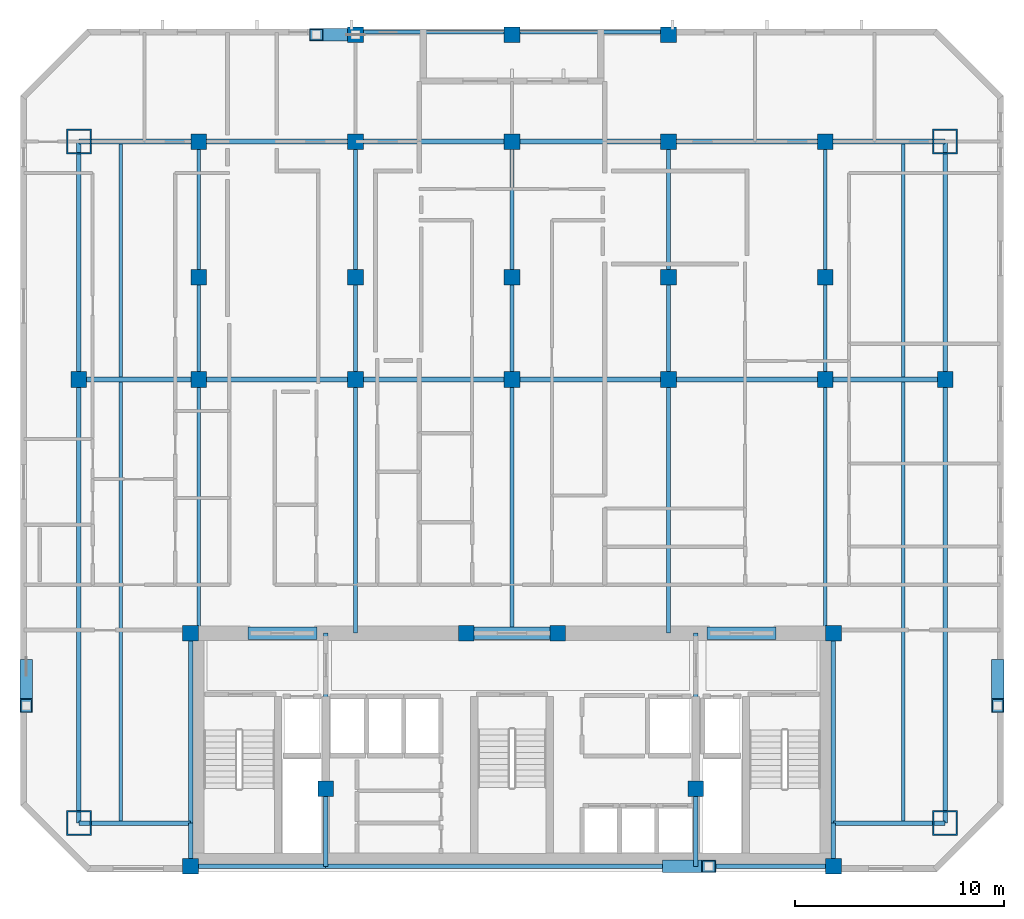
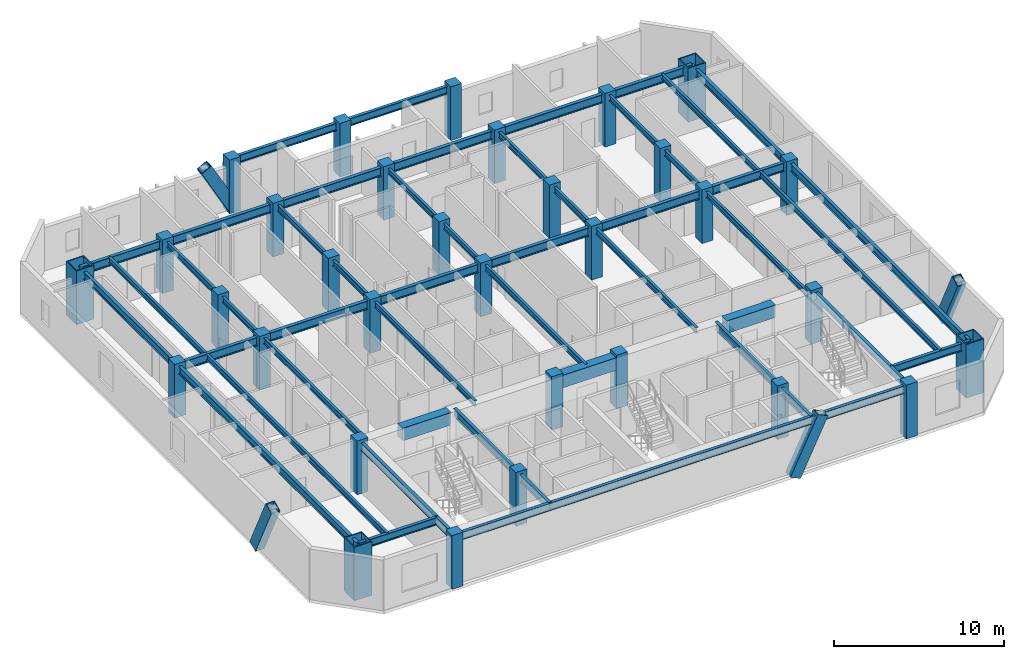
# One storey, part 1 of 9: 48 beams, 32 columns, 4 members.
"""IFC4 building model written with IfcOpenShell, lengths in metres."""

from ifc_helpers import new_model, si_unit, direction, frame, origin, origin_2d, place, context, subcontext, project, spatial, rectangle, hollow_rectangle, i_section, extrude, material, material_profile, profile_set, type_object, element, save


model = new_model("IFC4")

# Units and contexts
model_context = context("Model", 3, precision=1e-05, world=origin(), true_north=direction((0.0, 1.0)))
body_context = subcontext(model_context, "Body", "Model", "MODEL_VIEW")
ifc_project = project(units=[si_unit("LENGTHUNIT", "METRE"), si_unit("AREAUNIT", "SQUARE_METRE"), si_unit("VOLUMEUNIT", "CUBIC_METRE"), si_unit("PLANEANGLEUNIT", "RADIAN"), si_unit("MASSUNIT", "GRAM", prefix="KILO")], contexts=[model_context])

# Site, building, storey
site_placement = place(None, origin())
site = spatial("IfcSite", under=ifc_project, at=site_placement, CompositionType="ELEMENT")
building_placement = place(site_placement, origin())
building = spatial("IfcBuilding", under=site, at=building_placement, Name="Ventersveld Concourse Tower", CompositionType="ELEMENT")
storey_placement = place(building_placement, frame((0.0, 0.0, 172.14990234375)))
storey = spatial("IfcBuildingStorey", under=building, at=storey_placement, Name="L42", CompositionType="ELEMENT", Elevation=172.14990234375)

# Columns
ifc_material_1 = material(Name="Concrete C50/60", Category="concrete")
ifc_material_profile_1 = material_profile(ifc_material_1, rectangle(XDim=0.75, YDim=0.75, at=origin_2d()), Name="RC 750x750")
ifc_profile_set_1 = profile_set([ifc_material_profile_1], Name="Concrete C50/60")
column_type_1 = type_object("IfcColumnType", Name="COL-RC750", PredefinedType="COLUMN", material=ifc_profile_set_1)
for number, where, z_axis, x_axis, name in (
    (1, (13.35009765625, 0.280029296875, 0.0), (0.0, 0.0, 1.0), (1.0, 0.0, 0.0), "L42 Core Spine Column CC-SW"),
    (2, (44.14990234375, 0.280029296875, 0.0), (0.0, 0.0, 1.0), (1.0, 0.0, 0.0), "L42 Core Spine Column CC-SE"),
    (3, (13.35009765625, 11.449951171875, 0.0), (0.0, 0.0, 1.0), (1.0, 0.0, 0.0), "L42 Core Spine Column CC-NW"),
    (4, (44.14990234375, 11.449951171875, 0.0), (0.0, 0.0, 1.0), (1.0, 0.0, 0.0), "L42 Core Spine Column CC-NE"),
    (5, (19.820068359375, 4.0, 0.0), (0.0, 0.0, 1.0), (1.0, 0.0, 0.0), "L42 Core Spine Column CM-1"),
    (6, (37.550048828125, 4.0, 0.0), (0.0, 0.0, 1.0), (1.0, 0.0, 0.0), "L42 Core Spine Column CM-2"),
    (7, (26.550048828125, 11.449951171875, 0.0), (0.0, 0.0, 1.0), (1.0, 0.0, 0.0), "L42 Core Spine Column CM-3"),
    (8, (30.949951171875, 11.449951171875, 0.0), (0.0, 0.0, 1.0), (1.0, 0.0, 0.0), "L42 Core Spine Column CM-4"),
    (9, (8.0, 23.60009765625, 0.0), (0.0, 0.0, 1.0), (1.0, 0.0, 0.0), "L42 Interior Gravity Column X=8.00 Y=23.60"),
    (10, (13.75, 23.60009765625, 0.0), (0.0, 0.0, 1.0), (1.0, 0.0, 0.0), "L42 Interior Gravity Column X=13.75 Y=23.60"),
    (11, (21.25, 23.60009765625, 0.0), (0.0, 0.0, 1.0), (1.0, 0.0, 0.0), "L42 Interior Gravity Column X=21.25 Y=23.60"),
    (12, (28.75, 23.60009765625, 0.0), (0.0, 0.0, 1.0), (1.0, 0.0, 0.0), "L42 Interior Gravity Column X=28.75 Y=23.60"),
    (13, (36.25, 23.60009765625, 0.0), (0.0, 0.0, 1.0), (1.0, 0.0, 0.0), "L42 Interior Gravity Column X=36.25 Y=23.60"),
    (14, (43.75, 23.60009765625, 0.0), (0.0, 0.0, 1.0), (1.0, 0.0, 0.0), "L42 Interior Gravity Column X=43.75 Y=23.60"),
    (15, (49.5, 23.60009765625, 0.0), (0.0, 0.0, 1.0), (1.0, 0.0, 0.0), "L42 Interior Gravity Column X=49.50 Y=23.60"),
    (16, (13.75, 28.5, 0.0), (0.0, 0.0, 1.0), (1.0, 0.0, 0.0), "L42 Upper-North Gravity Column X=13.75 Y=28.50"),
    (17, (21.25, 28.5, 0.0), (0.0, 0.0, 1.0), (1.0, 0.0, 0.0), "L42 Upper-North Gravity Column X=21.25 Y=28.50"),
    (18, (28.75, 28.5, 0.0), (0.0, 0.0, 1.0), (1.0, 0.0, 0.0), "L42 Upper-North Gravity Column X=28.75 Y=28.50"),
    (19, (36.25, 28.5, 0.0), (0.0, 0.0, 1.0), (1.0, 0.0, 0.0), "L42 Upper-North Gravity Column X=36.25 Y=28.50"),
    (20, (43.75, 28.5, 0.0), (0.0, 0.0, 1.0), (1.0, 0.0, 0.0), "L42 Upper-North Gravity Column X=43.75 Y=28.50"),
    (21, (21.25, 40.1201171875, 0.0), (0.0, 0.0, 1.0), (1.0, 0.0, 0.0), "L42 North Brace Node Column X=21.25 Y=40.12"),
    (22, (28.75, 40.1201171875, 0.0), (0.0, 0.0, 1.0), (1.0, 0.0, 0.0), "L42 North Brace Node Column X=28.75 Y=40.12"),
    (23, (36.25, 40.1201171875, 0.0), (0.0, 0.0, 1.0), (1.0, 0.0, 0.0), "L42 North Brace Node Column X=36.25 Y=40.12"),
    (24, (13.75, 35.0, 0.0), (0.0, 0.0, 1.0), (1.0, 0.0, 0.0), "L42 Mid-North Column X=13.75 Y=35.00"),
    (25, (21.25, 35.0, 0.0), (0.0, 0.0, 1.0), (1.0, 0.0, 0.0), "L42 Mid-North Column X=21.25 Y=35.00"),
    (26, (28.75, 35.0, 0.0), (0.0, 0.0, 1.0), (1.0, 0.0, 0.0), "L42 Mid-North Column X=28.75 Y=35.00"),
    (27, (36.25, 35.0, 0.0), (0.0, 0.0, 1.0), (1.0, 0.0, 0.0), "L42 Mid-North Column X=36.25 Y=35.00"),
    (28, (43.75, 35.0, 0.0), (0.0, 0.0, 1.0), (1.0, 0.0, 0.0), "L42 Mid-North Column X=43.75 Y=35.00"),
):
    element("IfcColumn", number, at=place(storey_placement, frame(where, z_axis=z_axis, x_axis=x_axis)), inside=storey, type_object=column_type_1, Name=name, PredefinedType="COLUMN", context=body_context, shape_type="SweptSolid", body=[
        extrude(rectangle(XDim=0.75, YDim=0.75, at=origin_2d()), origin(), (0.0, 0.0, 1.0), 3.85009765625),
    ])
ifc_material_2 = material(Name="Structural steel S460ML", Category="steel")
ifc_material_profile_2 = material_profile(ifc_material_2, hollow_rectangle(XDim=1.199951171875, YDim=1.199951171875, WallThickness=0.070068359375, at=origin_2d()), Name="BOX 1200x1200x70")
ifc_profile_set_2 = profile_set([ifc_material_profile_2], Name="Structural steel S460ML")
column_type_2 = type_object("IfcColumnType", Name="MC-1200", PredefinedType="USERDEFINED", material=ifc_profile_set_2)
for number, where, z_axis, x_axis, name in (
    (29, (8.0, 2.35009765625, 0.0), (0.0, 0.0, 1.0), (1.0, 0.0, 0.0), "L42 Corner Mega-Column MC-SW"),
    (30, (49.5, 2.35009765625, 0.0), (0.0, 0.0, 1.0), (1.0, 0.0, 0.0), "L42 Corner Mega-Column MC-SE"),
    (31, (49.5, 35.0, 0.0), (0.0, 0.0, 1.0), (1.0, 0.0, 0.0), "L42 Corner Mega-Column MC-NE"),
    (32, (8.0, 35.0, 0.0), (0.0, 0.0, 1.0), (1.0, 0.0, 0.0), "L42 Corner Mega-Column MC-NW"),
):
    element("IfcColumn", number, at=place(storey_placement, frame(where, z_axis=z_axis, x_axis=x_axis)), inside=storey, type_object=column_type_2, Name=name, ObjectType="MEGA_COLUMN", PredefinedType="USERDEFINED", context=body_context, shape_type="SweptSolid", body=[
        extrude(hollow_rectangle(XDim=1.199951171875, YDim=1.199951171875, WallThickness=0.070068359375, at=origin_2d()), origin(), (0.0, 0.0, 1.0), 3.85009765625),
    ])

# Beams
ifc_material_3 = material(Name="Structural steel S355J2", Category="steel")
ifc_material_profile_3 = material_profile(ifc_material_3, i_section(OverallWidth=0.177978515625, OverallDepth=0.406494140625, WebThickness=0.0078125, FlangeThickness=0.0126953125, FilletRadius=0.01025390625, at=origin_2d()), Name="UB 406x178x60")
ifc_profile_set_3 = profile_set([ifc_material_profile_3], Name="Structural steel S355J2")
beam_type_1 = type_object("IfcBeamType", Name="BM-UB406", PredefinedType="BEAM", material=ifc_profile_set_3)
beam_1_placement = place(storey_placement, frame((10.0, 2.35009765625, 3.427001953125), z_axis=(0.0, 1.0, 0.0), x_axis=(-1.0, 0.0, 0.0)))
element("IfcBeam", 33, at=beam_1_placement, inside=storey, type_object=beam_type_1, Name="L42 N-S Composite Floor Beam South X=10.00", PredefinedType="BEAM", context=body_context, shape_type="SweptSolid", body=[
    extrude(i_section(OverallWidth=0.177978515625, OverallDepth=0.406494140625, WebThickness=0.0078125, FlangeThickness=0.0126953125, FilletRadius=0.01025390625, at=origin_2d()), origin(), (0.0, 0.0, 1.0), 21.15478515625),
])
beam_2_placement = place(storey_placement, frame((10.0, 23.695068359375, 3.427001953125), z_axis=(0.0, 1.0, 0.0), x_axis=(-1.0, 0.0, 0.0)))
element("IfcBeam", 34, at=beam_2_placement, inside=storey, type_object=beam_type_1, Name="L42 N-S Composite Floor Beam Mid X=10.00", PredefinedType="BEAM", context=body_context, shape_type="SweptSolid", body=[
    extrude(i_section(OverallWidth=0.177978515625, OverallDepth=0.406494140625, WebThickness=0.0078125, FlangeThickness=0.0126953125, FilletRadius=0.01025390625, at=origin_2d()), origin(), (0.0, 0.0, 1.0), 11.304931640625),
])
beam_3_placement = place(storey_placement, frame((13.75, 11.449951171875, 3.427001953125), z_axis=(0.0, 1.0, 0.0), x_axis=(-1.0, 0.0, 0.0)))
element("IfcBeam", 35, at=beam_3_placement, inside=storey, type_object=beam_type_1, Name="L42 N-S Composite Floor Beam South X=13.75", PredefinedType="BEAM", context=body_context, shape_type="SweptSolid", body=[
    extrude(i_section(OverallWidth=0.177978515625, OverallDepth=0.406494140625, WebThickness=0.0078125, FlangeThickness=0.0126953125, FilletRadius=0.01025390625, at=origin_2d()), origin(), (0.0, 0.0, 1.0), 12.150146484375),
])
beam_4_placement = place(storey_placement, frame((13.75, 23.60009765625, 3.427001953125), z_axis=(0.0, 1.0, 0.0), x_axis=(-1.0, 0.0, 0.0)))
element("IfcBeam", 36, at=beam_4_placement, inside=storey, type_object=beam_type_1, Name="L42 N-S Composite Floor Beam Mid X=13.75", PredefinedType="BEAM", context=body_context, shape_type="SweptSolid", body=[
    extrude(i_section(OverallWidth=0.177978515625, OverallDepth=0.406494140625, WebThickness=0.0078125, FlangeThickness=0.0126953125, FilletRadius=0.01025390625, at=origin_2d()), origin(), (0.0, 0.0, 1.0), 11.39990234375),
])
beam_5_placement = place(storey_placement, frame((21.25, 11.449951171875, 3.427001953125), z_axis=(0.0, 1.0, 0.0), x_axis=(-1.0, 0.0, 0.0)))
element("IfcBeam", 37, at=beam_5_placement, inside=storey, type_object=beam_type_1, Name="L42 N-S Composite Floor Beam South X=21.25", PredefinedType="BEAM", context=body_context, shape_type="SweptSolid", body=[
    extrude(i_section(OverallWidth=0.177978515625, OverallDepth=0.406494140625, WebThickness=0.0078125, FlangeThickness=0.0126953125, FilletRadius=0.01025390625, at=origin_2d()), origin(), (0.0, 0.0, 1.0), 12.150146484375),
])
beam_6_placement = place(storey_placement, frame((21.25, 23.60009765625, 3.427001953125), z_axis=(0.0, 1.0, 0.0), x_axis=(-1.0, 0.0, 0.0)))
element("IfcBeam", 38, at=beam_6_placement, inside=storey, type_object=beam_type_1, Name="L42 N-S Composite Floor Beam Mid X=21.25", PredefinedType="BEAM", context=body_context, shape_type="SweptSolid", body=[
    extrude(i_section(OverallWidth=0.177978515625, OverallDepth=0.406494140625, WebThickness=0.0078125, FlangeThickness=0.0126953125, FilletRadius=0.01025390625, at=origin_2d()), origin(), (0.0, 0.0, 1.0), 11.39990234375),
])
beam_7_placement = place(storey_placement, frame((28.75, 11.449951171875, 3.427001953125), z_axis=(0.0, 1.0, 0.0), x_axis=(-1.0, 0.0, 0.0)))
element("IfcBeam", 39, at=beam_7_placement, inside=storey, type_object=beam_type_1, Name="L42 N-S Composite Floor Beam South X=28.75", PredefinedType="BEAM", context=body_context, shape_type="SweptSolid", body=[
    extrude(i_section(OverallWidth=0.177978515625, OverallDepth=0.406494140625, WebThickness=0.0078125, FlangeThickness=0.0126953125, FilletRadius=0.01025390625, at=origin_2d()), origin(), (0.0, 0.0, 1.0), 12.150146484375),
])
beam_8_placement = place(storey_placement, frame((28.75, 23.60009765625, 3.427001953125), z_axis=(0.0, 1.0, 0.0), x_axis=(-1.0, 0.0, 0.0)))
element("IfcBeam", 40, at=beam_8_placement, inside=storey, type_object=beam_type_1, Name="L42 N-S Composite Floor Beam Mid X=28.75", PredefinedType="BEAM", context=body_context, shape_type="SweptSolid", body=[
    extrude(i_section(OverallWidth=0.177978515625, OverallDepth=0.406494140625, WebThickness=0.0078125, FlangeThickness=0.0126953125, FilletRadius=0.01025390625, at=origin_2d()), origin(), (0.0, 0.0, 1.0), 11.39990234375),
])
beam_9_placement = place(storey_placement, frame((36.25, 11.449951171875, 3.427001953125), z_axis=(0.0, 1.0, 0.0), x_axis=(-1.0, 0.0, 0.0)))
element("IfcBeam", 41, at=beam_9_placement, inside=storey, type_object=beam_type_1, Name="L42 N-S Composite Floor Beam South X=36.25", PredefinedType="BEAM", context=body_context, shape_type="SweptSolid", body=[
    extrude(i_section(OverallWidth=0.177978515625, OverallDepth=0.406494140625, WebThickness=0.0078125, FlangeThickness=0.0126953125, FilletRadius=0.01025390625, at=origin_2d()), origin(), (0.0, 0.0, 1.0), 12.150146484375),
])
beam_10_placement = place(storey_placement, frame((36.25, 23.60009765625, 3.427001953125), z_axis=(0.0, 1.0, 0.0), x_axis=(-1.0, 0.0, 0.0)))
element("IfcBeam", 42, at=beam_10_placement, inside=storey, type_object=beam_type_1, Name="L42 N-S Composite Floor Beam Mid X=36.25", PredefinedType="BEAM", context=body_context, shape_type="SweptSolid", body=[
    extrude(i_section(OverallWidth=0.177978515625, OverallDepth=0.406494140625, WebThickness=0.0078125, FlangeThickness=0.0126953125, FilletRadius=0.01025390625, at=origin_2d()), origin(), (0.0, 0.0, 1.0), 11.39990234375),
])
beam_11_placement = place(storey_placement, frame((43.75, 11.449951171875, 3.427001953125), z_axis=(0.0, 1.0, 0.0), x_axis=(-1.0, 0.0, 0.0)))
element("IfcBeam", 43, at=beam_11_placement, inside=storey, type_object=beam_type_1, Name="L42 N-S Composite Floor Beam South X=43.75", PredefinedType="BEAM", context=body_context, shape_type="SweptSolid", body=[
    extrude(i_section(OverallWidth=0.177978515625, OverallDepth=0.406494140625, WebThickness=0.0078125, FlangeThickness=0.0126953125, FilletRadius=0.01025390625, at=origin_2d()), origin(), (0.0, 0.0, 1.0), 12.150146484375),
])
beam_12_placement = place(storey_placement, frame((43.75, 23.60009765625, 3.427001953125), z_axis=(0.0, 1.0, 0.0), x_axis=(-1.0, 0.0, 0.0)))
element("IfcBeam", 44, at=beam_12_placement, inside=storey, type_object=beam_type_1, Name="L42 N-S Composite Floor Beam Mid X=43.75", PredefinedType="BEAM", context=body_context, shape_type="SweptSolid", body=[
    extrude(i_section(OverallWidth=0.177978515625, OverallDepth=0.406494140625, WebThickness=0.0078125, FlangeThickness=0.0126953125, FilletRadius=0.01025390625, at=origin_2d()), origin(), (0.0, 0.0, 1.0), 11.39990234375),
])
beam_13_placement = place(storey_placement, frame((47.5, 2.35009765625, 3.427001953125), z_axis=(0.0, 1.0, 0.0), x_axis=(-1.0, 0.0, 0.0)))
element("IfcBeam", 45, at=beam_13_placement, inside=storey, type_object=beam_type_1, Name="L42 N-S Composite Floor Beam South X=47.50", PredefinedType="BEAM", context=body_context, shape_type="SweptSolid", body=[
    extrude(i_section(OverallWidth=0.177978515625, OverallDepth=0.406494140625, WebThickness=0.0078125, FlangeThickness=0.0126953125, FilletRadius=0.01025390625, at=origin_2d()), origin(), (0.0, 0.0, 1.0), 21.15478515625),
])
beam_14_placement = place(storey_placement, frame((47.5, 23.695068359375, 3.427001953125), z_axis=(0.0, 1.0, 0.0), x_axis=(-1.0, 0.0, 0.0)))
element("IfcBeam", 46, at=beam_14_placement, inside=storey, type_object=beam_type_1, Name="L42 N-S Composite Floor Beam Mid X=47.50", PredefinedType="BEAM", context=body_context, shape_type="SweptSolid", body=[
    extrude(i_section(OverallWidth=0.177978515625, OverallDepth=0.406494140625, WebThickness=0.0078125, FlangeThickness=0.0126953125, FilletRadius=0.01025390625, at=origin_2d()), origin(), (0.0, 0.0, 1.0), 11.304931640625),
])
ifc_material_4 = material(Name="Concrete C60/75", Category="concrete")
ifc_material_profile_4 = material_profile(ifc_material_4, rectangle(XDim=0.60009765625, YDim=0.89990234375, at=origin_2d()), Name="RC 600x900")
ifc_profile_set_4 = profile_set([ifc_material_profile_4], Name="Concrete C60/75")
beam_type_2 = type_object("IfcBeamType", Name="CB-RC600x900L", PredefinedType="LINTEL", material=ifc_profile_set_4)
beam_15_placement = place(storey_placement, frame((16.10009765625, 11.449951171875, 3.18017578125), z_axis=(1.0, 0.0, 0.0), x_axis=(0.0, 1.0, 0.0)))
element("IfcBeam", 47, at=beam_15_placement, inside=storey, type_object=beam_type_2, Name="L42 Core Coupling Lintel Beam 1", PredefinedType="LINTEL", context=body_context, shape_type="SweptSolid", body=[
    extrude(rectangle(XDim=0.60009765625, YDim=0.89990234375, at=origin_2d()), origin(), (0.0, 0.0, 1.0), 3.2998046875),
])
beam_16_placement = place(storey_placement, frame((26.5, 11.449951171875, 3.18017578125), z_axis=(1.0, 0.0, 0.0), x_axis=(0.0, 1.0, 0.0)))
element("IfcBeam", 48, at=beam_16_placement, inside=storey, type_object=beam_type_2, Name="L42 Core Coupling Lintel Beam 2", PredefinedType="LINTEL", context=body_context, shape_type="SweptSolid", body=[
    extrude(rectangle(XDim=0.60009765625, YDim=0.89990234375, at=origin_2d()), origin(), (0.0, 0.0, 1.0), 4.5),
])
beam_17_placement = place(storey_placement, frame((38.10009765625, 11.449951171875, 3.18017578125), z_axis=(1.0, 0.0, 0.0), x_axis=(0.0, 1.0, 0.0)))
element("IfcBeam", 49, at=beam_17_placement, inside=storey, type_object=beam_type_2, Name="L42 Core Coupling Lintel Beam 3", PredefinedType="LINTEL", context=body_context, shape_type="SweptSolid", body=[
    extrude(rectangle(XDim=0.60009765625, YDim=0.89990234375, at=origin_2d()), origin(), (0.0, 0.0, 1.0), 3.2998046875),
])
ifc_material_profile_5 = material_profile(ifc_material_3, i_section(OverallWidth=0.2119140625, OverallDepth=0.54443359375, WebThickness=0.0126953125, FlangeThickness=0.021240234375, FilletRadius=0.0126953125, at=origin_2d()), Name="UB 533x210x122")
ifc_profile_set_5 = profile_set([ifc_material_profile_5], Name="Structural steel S355J2")
beam_type_3 = type_object("IfcBeamType", Name="GRD-UB533H", PredefinedType="T_BEAM", material=ifc_profile_set_5)
beam_18_placement = place(storey_placement, frame((13.35009765625, 0.280029296875, 3.35791015625), z_axis=(0.0, 1.0, 0.0), x_axis=(-1.0, 0.0, 0.0)))
element("IfcBeam", 50, at=beam_18_placement, inside=storey, type_object=beam_type_3, Name="L42 Core West Tie Beam S", PredefinedType="T_BEAM", context=body_context, shape_type="SweptSolid", body=[
    extrude(i_section(OverallWidth=0.2119140625, OverallDepth=0.54443359375, WebThickness=0.0126953125, FlangeThickness=0.021240234375, FilletRadius=0.0126953125, at=origin_2d()), origin(), (0.0, 0.0, 1.0), 2.070068359375),
])
beam_19_placement = place(storey_placement, frame((13.35009765625, 2.35009765625, 3.35791015625), z_axis=(0.0, 1.0, 0.0), x_axis=(-1.0, 0.0, 0.0)))
element("IfcBeam", 51, at=beam_19_placement, inside=storey, type_object=beam_type_3, Name="L42 Core West Tie Beam N", PredefinedType="T_BEAM", context=body_context, shape_type="SweptSolid", body=[
    extrude(i_section(OverallWidth=0.2119140625, OverallDepth=0.54443359375, WebThickness=0.0126953125, FlangeThickness=0.021240234375, FilletRadius=0.0126953125, at=origin_2d()), origin(), (0.0, 0.0, 1.0), 9.099853515625),
])
beam_20_placement = place(storey_placement, frame((44.14990234375, 0.280029296875, 3.35791015625), z_axis=(0.0, 1.0, 0.0), x_axis=(-1.0, 0.0, 0.0)))
element("IfcBeam", 52, at=beam_20_placement, inside=storey, type_object=beam_type_3, Name="L42 Core East Tie Beam S", PredefinedType="T_BEAM", context=body_context, shape_type="SweptSolid", body=[
    extrude(i_section(OverallWidth=0.2119140625, OverallDepth=0.54443359375, WebThickness=0.0126953125, FlangeThickness=0.021240234375, FilletRadius=0.0126953125, at=origin_2d()), origin(), (0.0, 0.0, 1.0), 2.070068359375),
])
beam_21_placement = place(storey_placement, frame((44.14990234375, 2.35009765625, 3.35791015625), z_axis=(0.0, 1.0, 0.0), x_axis=(-1.0, 0.0, 0.0)))
element("IfcBeam", 53, at=beam_21_placement, inside=storey, type_object=beam_type_3, Name="L42 Core East Tie Beam N", PredefinedType="T_BEAM", context=body_context, shape_type="SweptSolid", body=[
    extrude(i_section(OverallWidth=0.2119140625, OverallDepth=0.54443359375, WebThickness=0.0126953125, FlangeThickness=0.021240234375, FilletRadius=0.0126953125, at=origin_2d()), origin(), (0.0, 0.0, 1.0), 9.099853515625),
])
beam_22_placement = place(storey_placement, frame((13.35009765625, 0.280029296875, 3.35791015625), z_axis=(1.0, 0.0, 0.0), x_axis=(0.0, 1.0, 0.0)))
element("IfcBeam", 54, at=beam_22_placement, inside=storey, type_object=beam_type_3, Name="L42 Core South Tie Beam W", PredefinedType="T_BEAM", context=body_context, shape_type="SweptSolid", body=[
    extrude(i_section(OverallWidth=0.2119140625, OverallDepth=0.54443359375, WebThickness=0.0126953125, FlangeThickness=0.021240234375, FilletRadius=0.0126953125, at=origin_2d()), origin(), (0.0, 0.0, 1.0), 6.469970703125),
])
beam_23_placement = place(storey_placement, frame((19.820068359375, 0.280029296875, 3.35791015625), z_axis=(1.0, 0.0, 0.0), x_axis=(0.0, 1.0, 0.0)))
element("IfcBeam", 55, at=beam_23_placement, inside=storey, type_object=beam_type_3, Name="L42 Core South Tie Beam C", PredefinedType="T_BEAM", context=body_context, shape_type="SweptSolid", body=[
    extrude(i_section(OverallWidth=0.2119140625, OverallDepth=0.54443359375, WebThickness=0.0126953125, FlangeThickness=0.021240234375, FilletRadius=0.0126953125, at=origin_2d()), origin(), (0.0, 0.0, 1.0), 17.72998046875),
])
beam_24_placement = place(storey_placement, frame((37.550048828125, 0.280029296875, 3.35791015625), z_axis=(1.0, 0.0, 0.0), x_axis=(0.0, 1.0, 0.0)))
element("IfcBeam", 56, at=beam_24_placement, inside=storey, type_object=beam_type_3, Name="L42 Core South Tie Beam E", PredefinedType="T_BEAM", context=body_context, shape_type="SweptSolid", body=[
    extrude(i_section(OverallWidth=0.2119140625, OverallDepth=0.54443359375, WebThickness=0.0126953125, FlangeThickness=0.021240234375, FilletRadius=0.0126953125, at=origin_2d()), origin(), (0.0, 0.0, 1.0), 6.599853515625),
])
beam_25_placement = place(storey_placement, frame((19.820068359375, 0.280029296875, 3.35791015625), z_axis=(0.0, 1.0, 0.0), x_axis=(-1.0, 0.0, 0.0)))
element("IfcBeam", 57, at=beam_25_placement, inside=storey, type_object=beam_type_3, Name="L42 Core Spine N-S Tie Beam W1", PredefinedType="T_BEAM", context=body_context, shape_type="SweptSolid", body=[
    extrude(i_section(OverallWidth=0.2119140625, OverallDepth=0.54443359375, WebThickness=0.0126953125, FlangeThickness=0.021240234375, FilletRadius=0.0126953125, at=origin_2d()), origin(), (0.0, 0.0, 1.0), 3.719970703125),
])
beam_26_placement = place(storey_placement, frame((19.820068359375, 4.0, 3.35791015625), z_axis=(0.0, 1.0, 0.0), x_axis=(-1.0, 0.0, 0.0)))
element("IfcBeam", 58, at=beam_26_placement, inside=storey, type_object=beam_type_3, Name="L42 Core Spine N-S Tie Beam W2", PredefinedType="T_BEAM", context=body_context, shape_type="SweptSolid", body=[
    extrude(i_section(OverallWidth=0.2119140625, OverallDepth=0.54443359375, WebThickness=0.0126953125, FlangeThickness=0.021240234375, FilletRadius=0.0126953125, at=origin_2d()), origin(), (0.0, 0.0, 1.0), 7.449951171875),
])
beam_27_placement = place(storey_placement, frame((37.550048828125, 0.280029296875, 3.35791015625), z_axis=(0.0, 1.0, 0.0), x_axis=(-1.0, 0.0, 0.0)))
element("IfcBeam", 59, at=beam_27_placement, inside=storey, type_object=beam_type_3, Name="L42 Core Spine N-S Tie Beam E1", PredefinedType="T_BEAM", context=body_context, shape_type="SweptSolid", body=[
    extrude(i_section(OverallWidth=0.2119140625, OverallDepth=0.54443359375, WebThickness=0.0126953125, FlangeThickness=0.021240234375, FilletRadius=0.0126953125, at=origin_2d()), origin(), (0.0, 0.0, 1.0), 3.719970703125),
])
beam_28_placement = place(storey_placement, frame((37.550048828125, 4.0, 3.35791015625), z_axis=(0.0, 1.0, 0.0), x_axis=(-1.0, 0.0, 0.0)))
element("IfcBeam", 60, at=beam_28_placement, inside=storey, type_object=beam_type_3, Name="L42 Core Spine N-S Tie Beam E2", PredefinedType="T_BEAM", context=body_context, shape_type="SweptSolid", body=[
    extrude(i_section(OverallWidth=0.2119140625, OverallDepth=0.54443359375, WebThickness=0.0126953125, FlangeThickness=0.021240234375, FilletRadius=0.0126953125, at=origin_2d()), origin(), (0.0, 0.0, 1.0), 7.449951171875),
])
ifc_material_profile_6 = material_profile(ifc_material_3, i_section(OverallWidth=0.230224609375, OverallDepth=0.6171875, WebThickness=0.01318359375, FlangeThickness=0.022216796875, FilletRadius=0.0126953125, at=origin_2d()), Name="UB 610x229x140")
ifc_profile_set_6 = profile_set([ifc_material_profile_6], Name="Structural steel S355J2")
beam_type_4 = type_object("IfcBeamType", Name="GRD-UB610", PredefinedType="USERDEFINED", material=ifc_profile_set_6)
beam_29_placement = place(storey_placement, frame((8.0, 23.60009765625, 3.321533203125), z_axis=(1.0, 0.0, 0.0), x_axis=(0.0, 1.0, 0.0)))
element("IfcBeam", 61, at=beam_29_placement, inside=storey, type_object=beam_type_4, Name="L42 Primary E-W Grid Girder Y=23.60 #1", ObjectType="GIRDER", PredefinedType="USERDEFINED", context=body_context, shape_type="SweptSolid", body=[
    extrude(i_section(OverallWidth=0.230224609375, OverallDepth=0.6171875, WebThickness=0.01318359375, FlangeThickness=0.022216796875, FilletRadius=0.0126953125, at=origin_2d()), origin(), (0.0, 0.0, 1.0), 5.75),
])
for number, where, z_axis, x_axis, name in (
    (62, (13.75, 23.60009765625, 3.321533203125), (1.0, 0.0, 0.0), (0.0, 1.0, 0.0), "L42 Primary E-W Grid Girder Y=23.60 #2"),
    (63, (21.25, 23.60009765625, 3.321533203125), (1.0, 0.0, 0.0), (0.0, 1.0, 0.0), "L42 Primary E-W Grid Girder Y=23.60 #3"),
    (64, (28.75, 23.60009765625, 3.321533203125), (1.0, 0.0, 0.0), (0.0, 1.0, 0.0), "L42 Primary E-W Grid Girder Y=23.60 #4"),
    (65, (36.25, 23.60009765625, 3.321533203125), (1.0, 0.0, 0.0), (0.0, 1.0, 0.0), "L42 Primary E-W Grid Girder Y=23.60 #5"),
):
    element("IfcBeam", number, at=place(storey_placement, frame(where, z_axis=z_axis, x_axis=x_axis)), inside=storey, type_object=beam_type_4, Name=name, ObjectType="GIRDER", PredefinedType="USERDEFINED", context=body_context, shape_type="SweptSolid", body=[
        extrude(i_section(OverallWidth=0.230224609375, OverallDepth=0.6171875, WebThickness=0.01318359375, FlangeThickness=0.022216796875, FilletRadius=0.0126953125, at=origin_2d()), origin(), (0.0, 0.0, 1.0), 7.5),
    ])
for number, where, z_axis, x_axis, name in (
    (66, (43.75, 23.60009765625, 3.321533203125), (1.0, 0.0, 0.0), (0.0, 1.0, 0.0), "L42 Primary E-W Grid Girder Y=23.60 #6"),
    (67, (8.0, 35.0, 3.321533203125), (1.0, 0.0, 0.0), (0.0, 1.0, 0.0), "L42 E-W Grid Girder Y=35.00 #1"),
):
    element("IfcBeam", number, at=place(storey_placement, frame(where, z_axis=z_axis, x_axis=x_axis)), inside=storey, type_object=beam_type_4, Name=name, ObjectType="GIRDER", PredefinedType="USERDEFINED", context=body_context, shape_type="SweptSolid", body=[
        extrude(i_section(OverallWidth=0.230224609375, OverallDepth=0.6171875, WebThickness=0.01318359375, FlangeThickness=0.022216796875, FilletRadius=0.0126953125, at=origin_2d()), origin(), (0.0, 0.0, 1.0), 5.75),
    ])
for number, where, z_axis, x_axis, name in (
    (68, (13.75, 35.0, 3.321533203125), (1.0, 0.0, 0.0), (0.0, 1.0, 0.0), "L42 E-W Grid Girder Y=35.00 #2"),
    (69, (21.25, 35.0, 3.321533203125), (1.0, 0.0, 0.0), (0.0, 1.0, 0.0), "L42 E-W Grid Girder Y=35.00 #3"),
    (70, (28.75, 35.0, 3.321533203125), (1.0, 0.0, 0.0), (0.0, 1.0, 0.0), "L42 E-W Grid Girder Y=35.00 #4"),
    (71, (36.25, 35.0, 3.321533203125), (1.0, 0.0, 0.0), (0.0, 1.0, 0.0), "L42 E-W Grid Girder Y=35.00 #5"),
):
    element("IfcBeam", number, at=place(storey_placement, frame(where, z_axis=z_axis, x_axis=x_axis)), inside=storey, type_object=beam_type_4, Name=name, ObjectType="GIRDER", PredefinedType="USERDEFINED", context=body_context, shape_type="SweptSolid", body=[
        extrude(i_section(OverallWidth=0.230224609375, OverallDepth=0.6171875, WebThickness=0.01318359375, FlangeThickness=0.022216796875, FilletRadius=0.0126953125, at=origin_2d()), origin(), (0.0, 0.0, 1.0), 7.5),
    ])
beam_30_placement = place(storey_placement, frame((43.75, 35.0, 3.321533203125), z_axis=(1.0, 0.0, 0.0), x_axis=(0.0, 1.0, 0.0)))
element("IfcBeam", 72, at=beam_30_placement, inside=storey, type_object=beam_type_4, Name="L42 E-W Grid Girder Y=35.00 #6", ObjectType="GIRDER", PredefinedType="USERDEFINED", context=body_context, shape_type="SweptSolid", body=[
    extrude(i_section(OverallWidth=0.230224609375, OverallDepth=0.6171875, WebThickness=0.01318359375, FlangeThickness=0.022216796875, FilletRadius=0.0126953125, at=origin_2d()), origin(), (0.0, 0.0, 1.0), 5.75),
])

# Members
ifc_material_5 = material(Name="Structural steel S355ML", Category="steel")
ifc_material_profile_7 = material_profile(ifc_material_5, hollow_rectangle(XDim=0.60009765625, YDim=0.75, WallThickness=0.0400390625, at=origin_2d()), Name="BOX 750x600x40")
ifc_profile_set_7 = profile_set([ifc_material_profile_7], Name="Structural steel S355ML")
member_type = type_object("IfcMemberType", Name="MB-750x600", PredefinedType="BRACE", material=ifc_profile_set_7)
member_placement = place(storey_placement, frame((21.25, 40.1201171875, 0.22021484375), z_axis=(-0.481829637312, 0.0, 0.876264914628), x_axis=(0.0, -1.0, 0.0)))
element("IfcMember", 73, at=member_placement, inside=storey, type_object=member_type, Name="L42 Exterior Mega-Brace N (Module M10)", PredefinedType="BRACE", context=body_context, shape_type="SweptSolid", body=[
    extrude(hollow_rectangle(XDim=0.60009765625, YDim=0.75, WallThickness=0.0400390625, at=origin_2d()), origin(), (0.0, 0.0, 1.0), 3.891357421875),
])
for number, where, z_axis, x_axis, name in (
    (74, (36.300048828125, 0.280029296875, -0.219970703125), (0.437839464193, 0.0, 0.899053170616), (0.0, 1.0, 0.0), "L42 Exterior Mega-Brace S (Module M10)"),
    (75, (5.47998046875, 9.85009765625, -0.219970703125), (0.0, -0.437839464193, 0.899053170616), (1.0, 0.0, 0.0), "L42 Exterior Mega-Brace W (Module M10)"),
    (76, (52.02001953125, 9.85009765625, -0.219970703125), (0.0, -0.437839464193, 0.899053170616), (1.0, 0.0, 0.0), "L42 Exterior Mega-Brace E (Module M10)"),
):
    element("IfcMember", number, at=place(storey_placement, frame(where, z_axis=z_axis, x_axis=x_axis)), inside=storey, type_object=member_type, Name=name, PredefinedType="BRACE", context=body_context, shape_type="SweptSolid", body=[
        extrude(hollow_rectangle(XDim=0.60009765625, YDim=0.75, WallThickness=0.0400390625, at=origin_2d()), origin(), (0.0, 0.0, 1.0), 4.282470703125),
    ])

# Beams
ifc_material_profile_8 = material_profile(ifc_material_3, i_section(OverallWidth=0.2119140625, OverallDepth=0.54443359375, WebThickness=0.0126953125, FlangeThickness=0.021240234375, FilletRadius=0.0126953125, at=origin_2d()), Name="UB 533x210x122")
ifc_profile_set_8 = profile_set([ifc_material_profile_8], Name="Structural steel S355J2")
beam_type_5 = type_object("IfcBeamType", Name="SPD-UB533", PredefinedType="SPANDREL", material=ifc_profile_set_8)
for number, where, z_axis, x_axis, name in (
    (77, (8.0, 2.35009765625, 3.35791015625), (1.0, 0.0, 0.0), (0.0, 1.0, 0.0), "L42 SW Spandrel Beam"),
    (78, (44.14990234375, 2.35009765625, 3.35791015625), (1.0, 0.0, 0.0), (0.0, 1.0, 0.0), "L42 SE Spandrel Beam"),
):
    element("IfcBeam", number, at=place(storey_placement, frame(where, z_axis=z_axis, x_axis=x_axis)), inside=storey, type_object=beam_type_5, Name=name, PredefinedType="SPANDREL", context=body_context, shape_type="SweptSolid", body=[
        extrude(i_section(OverallWidth=0.2119140625, OverallDepth=0.54443359375, WebThickness=0.0126953125, FlangeThickness=0.021240234375, FilletRadius=0.0126953125, at=origin_2d()), origin(), (0.0, 0.0, 1.0), 5.35009765625),
    ])
beam_31_placement = place(storey_placement, frame((8.0, 2.35009765625, 3.35791015625), z_axis=(0.0, 1.0, 0.0), x_axis=(-1.0, 0.0, 0.0)))
element("IfcBeam", 79, at=beam_31_placement, inside=storey, type_object=beam_type_5, Name="L42 West Spandrel Beam S", PredefinedType="SPANDREL", context=body_context, shape_type="SweptSolid", body=[
    extrude(i_section(OverallWidth=0.2119140625, OverallDepth=0.54443359375, WebThickness=0.0126953125, FlangeThickness=0.021240234375, FilletRadius=0.0126953125, at=origin_2d()), origin(), (0.0, 0.0, 1.0), 21.25),
])
beam_32_placement = place(storey_placement, frame((8.0, 23.60009765625, 3.35791015625), z_axis=(0.0, 1.0, 0.0), x_axis=(-1.0, 0.0, 0.0)))
element("IfcBeam", 80, at=beam_32_placement, inside=storey, type_object=beam_type_5, Name="L42 West Spandrel Beam N", PredefinedType="SPANDREL", context=body_context, shape_type="SweptSolid", body=[
    extrude(i_section(OverallWidth=0.2119140625, OverallDepth=0.54443359375, WebThickness=0.0126953125, FlangeThickness=0.021240234375, FilletRadius=0.0126953125, at=origin_2d()), origin(), (0.0, 0.0, 1.0), 11.39990234375),
])
beam_33_placement = place(storey_placement, frame((49.5, 2.35009765625, 3.35791015625), z_axis=(0.0, 1.0, 0.0), x_axis=(-1.0, 0.0, 0.0)))
element("IfcBeam", 81, at=beam_33_placement, inside=storey, type_object=beam_type_5, Name="L42 East Spandrel Beam S", PredefinedType="SPANDREL", context=body_context, shape_type="SweptSolid", body=[
    extrude(i_section(OverallWidth=0.2119140625, OverallDepth=0.54443359375, WebThickness=0.0126953125, FlangeThickness=0.021240234375, FilletRadius=0.0126953125, at=origin_2d()), origin(), (0.0, 0.0, 1.0), 21.25),
])
beam_34_placement = place(storey_placement, frame((49.5, 23.60009765625, 3.35791015625), z_axis=(0.0, 1.0, 0.0), x_axis=(-1.0, 0.0, 0.0)))
element("IfcBeam", 82, at=beam_34_placement, inside=storey, type_object=beam_type_5, Name="L42 East Spandrel Beam N", PredefinedType="SPANDREL", context=body_context, shape_type="SweptSolid", body=[
    extrude(i_section(OverallWidth=0.2119140625, OverallDepth=0.54443359375, WebThickness=0.0126953125, FlangeThickness=0.021240234375, FilletRadius=0.0126953125, at=origin_2d()), origin(), (0.0, 0.0, 1.0), 11.39990234375),
])
for number, where, z_axis, x_axis, name in (
    (83, (21.25, 40.25, 3.35791015625), (1.0, 0.0, 0.0), (0.0, 1.0, 0.0), "L42 Terrace Edge Spandrel W"),
    (84, (28.75, 40.25, 3.35791015625), (1.0, 0.0, 0.0), (0.0, 1.0, 0.0), "L42 Terrace Edge Spandrel E"),
):
    element("IfcBeam", number, at=place(storey_placement, frame(where, z_axis=z_axis, x_axis=x_axis)), inside=storey, type_object=beam_type_5, Name=name, PredefinedType="SPANDREL", context=body_context, shape_type="SweptSolid", body=[
        extrude(i_section(OverallWidth=0.2119140625, OverallDepth=0.54443359375, WebThickness=0.0126953125, FlangeThickness=0.021240234375, FilletRadius=0.0126953125, at=origin_2d()), origin(), (0.0, 0.0, 1.0), 7.5),
    ])

save(model, "model.ifc")
